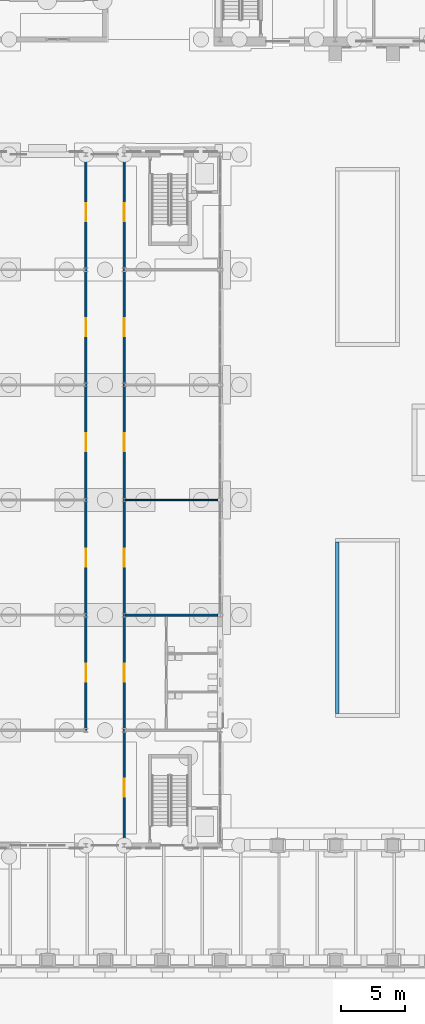
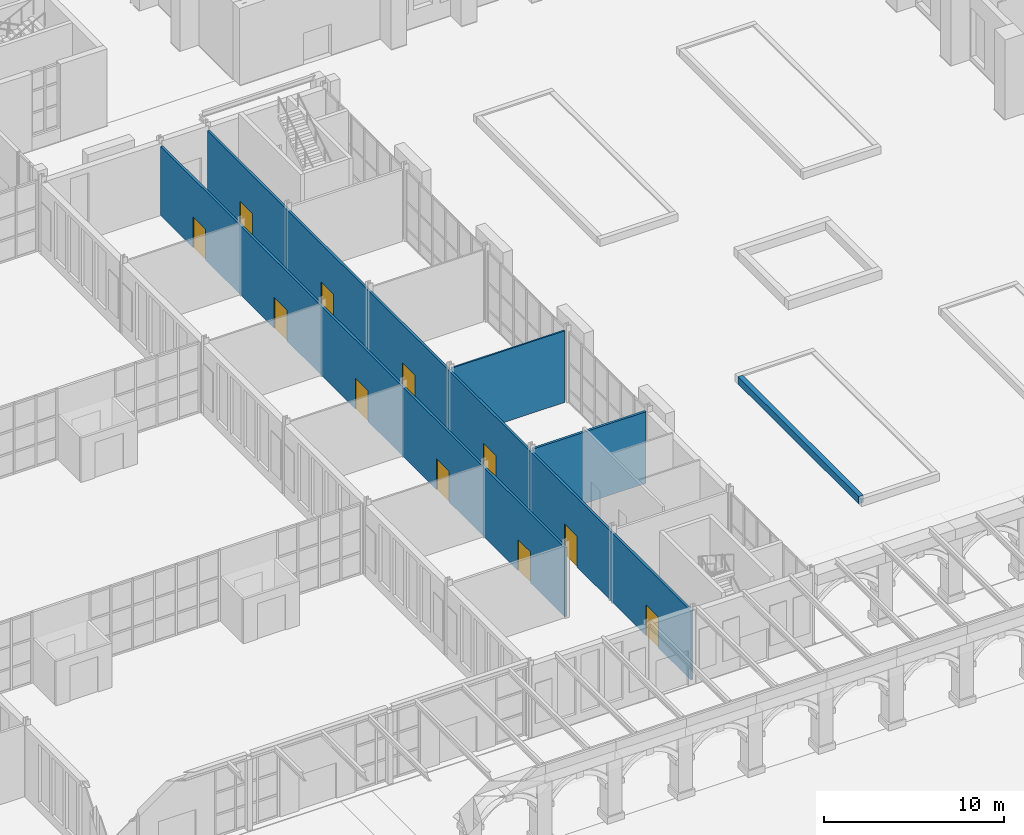
# One storey, part 90 of 168: 11 doors, 5 walls, 11 openings.
"""IFC4 building model written with IfcOpenShell, lengths in metres."""

import ifcopenshell
import ifcopenshell.guid

model = None  # the IFC model being written
_history = None  # IfcOwnerHistory: only IFC2X3 demands one
_inside = {}  # id of a spatial element -> (the spatial element, [elements in it])
_under = {}  # id of a project, library or spatial element -> (it, [spatial elements below it])
_declared = {}  # id of a project -> (the project, [libraries it declares])
_typed = {}  # id of a type object -> (the type object, [elements of that type])
_made_of = {}  # id of a material, layer set ... -> (it, [elements and type objects made of it])


def new_model(schema):
    """Start an empty IFC model of exactly this schema.

    Asked for "IFC4X3", IfcOpenShell would pick the latest addendum, in which some entities
    have other attributes; the version numbers below select the first issue.
    IFC2X3 requires an IfcOwnerHistory on every rooted entity: one is made here for all.
    """
    global model, _history
    if schema == "IFC4X3":
        model = ifcopenshell.file(schema_version=(4, 3, 0, 0))
    else:
        model = ifcopenshell.file(schema=schema)
    _inside.clear()
    _under.clear()
    _declared.clear()
    _typed.clear()
    _made_of.clear()
    _history = None
    if model.schema == "IFC2X3":
        org = make("IfcOrganization", Name="unknown")
        user = make(
            "IfcPersonAndOrganization",
            ThePerson=make("IfcPerson", FamilyName="unknown"),
            TheOrganization=org,
        )
        app = make(
            "IfcApplication",
            ApplicationDeveloper=org,
            Version="unknown",
            ApplicationFullName="unknown",
            ApplicationIdentifier="unknown",
        )
        _history = make(
            "IfcOwnerHistory",
            OwningUser=user,
            OwningApplication=app,
            ChangeAction="ADDED",
            CreationDate=0,
        )
    return model


def make(cls, **values):
    """One entity of the class cls with the attributes given. An attribute that is None is left unset."""
    return model.create_entity(
        cls, **{name: value for name, value in values.items() if value is not None}
    )


def rooted(cls, **values):
    """An entity with a GlobalId (a new one), such as an element, a storey or a relation."""
    return make(cls, GlobalId=ifcopenshell.guid.new(), OwnerHistory=_history, **values)


def si_unit(unit_type, name, prefix=None):
    """IfcSIUnit, for example si_unit("LENGTHUNIT", "METRE", prefix="MILLI")."""
    return make("IfcSIUnit", UnitType=unit_type, Prefix=prefix, Name=name)


def assignment(units):
    """IfcUnitAssignment: the units of a project."""
    return None if units is None else make("IfcUnitAssignment", Units=units)


def point(xyz):
    """IfcCartesianPoint."""
    return None if xyz is None else make("IfcCartesianPoint", Coordinates=xyz)


def direction(xyz):
    """IfcDirection."""
    return None if xyz is None else make("IfcDirection", DirectionRatios=xyz)


def frame(location, z_axis=None, x_axis=None):
    """IfcAxis2Placement3D, a coordinate frame: its origin and axes. An axis left out is left unset."""
    return make(
        "IfcAxis2Placement3D",
        Location=point(location),
        Axis=direction(z_axis),
        RefDirection=direction(x_axis),
    )


def frame_2d(location, x_axis=None):
    """IfcAxis2Placement2D, a coordinate frame in the plane: its origin and x axis."""
    return make(
        "IfcAxis2Placement2D", Location=point(location), RefDirection=direction(x_axis)
    )


def origin():
    """The frame at (0, 0, 0) with its axes left unset."""
    return frame((0.0, 0.0, 0.0))


def place(relative_to, where):
    """IfcLocalPlacement: puts the frame where relative to a parent placement (None: the world)."""
    return make(
        "IfcLocalPlacement", PlacementRelTo=relative_to, RelativePlacement=where
    )


def context(
    kind, dimensions, precision=None, world=None, true_north=None, identifier=None
):
    """IfcGeometricRepresentationContext, for example the 3D "Model" context."""
    return make(
        "IfcGeometricRepresentationContext",
        ContextIdentifier=identifier,
        ContextType=kind,
        CoordinateSpaceDimension=dimensions,
        Precision=precision,
        WorldCoordinateSystem=world,
        TrueNorth=true_north,
    )


def subcontext(parent, identifier, kind, view, scale=None):
    """IfcGeometricRepresentationSubContext, for example "Body" below "Model"."""
    return make(
        "IfcGeometricRepresentationSubContext",
        ContextIdentifier=identifier,
        ContextType=kind,
        ParentContext=parent,
        TargetScale=scale,
        TargetView=view,
    )


def project(units=None, contexts=None):
    """IfcProject with its units and contexts."""
    return rooted(
        "IfcProject",
        Name="project",
        RepresentationContexts=contexts,
        UnitsInContext=assignment(units),
    )


def spatial(cls, under=None, at=None, **own):
    """A site, building, storey or space (cls), placed at a placement, below another one or the project."""
    s = rooted(cls, ObjectPlacement=at, **own)
    if under is not None:
        _under.setdefault(under.id(), (under, []))[1].append(s)
    return s


def profile(cls, at=None, kind="AREA", **sizes):
    """A parametric profile (cls). Its sizes go by their IFC names, for example OverallWidth=200.0."""
    return make(cls, ProfileType=kind, Position=at, **sizes)


def rectangle(**sizes):
    """IfcRectangleProfileDef."""
    return profile("IfcRectangleProfileDef", **sizes)


def extrude(swept, where, along, depth):
    """IfcExtrudedAreaSolid: the profile swept, set in the frame where, extruded along a direction by depth."""
    return make(
        "IfcExtrudedAreaSolid",
        SweptArea=swept,
        Position=where,
        ExtrudedDirection=direction(along),
        Depth=depth,
    )


def shape(context_of_items, identifier, shape_type, items):
    """IfcShapeRepresentation: the items that make up one representation, for example the "Body"."""
    return make(
        "IfcShapeRepresentation",
        ContextOfItems=context_of_items,
        RepresentationIdentifier=identifier,
        RepresentationType=shape_type,
        Items=items,
    )


def material(Name=None, Category=None):
    """IfcMaterial."""
    return make("IfcMaterial", Name=Name, Category=Category)


def layer(
    of_material, thickness, ventilated=None, Name=None, Category=None, Priority=None
):
    """IfcMaterialLayer: one layer of a wall or slab, of a material (None: an air gap)."""
    return make(
        "IfcMaterialLayer",
        Material=of_material,
        LayerThickness=thickness,
        IsVentilated=ventilated,
        Name=Name,
        Category=Category,
        Priority=Priority,
    )


def layer_set(layers, Name=None):
    """IfcMaterialLayerSet."""
    return make("IfcMaterialLayerSet", MaterialLayers=layers, LayerSetName=Name)


def made_of(thing, what):
    """Note that an element or type object is made of a material, layer set ...; save() writes the relation."""
    if what is not None:
        _made_of.setdefault(what.id(), (what, []))[1].append(thing)
    return thing


def type_object(cls, material=None, **own):
    """A type object (cls), such as IfcWallType, which elements share."""
    return made_of(rooted(cls, **own), material)


def element(
    cls,
    number,
    at=None,
    inside=None,
    cuts=None,
    type_object=None,
    material=None,
    context=None,
    identifier="Body",
    shape_type=None,
    held_by="IfcProductDefinitionShape",
    body=None,
    shapes=None,
    **own,
):
    """One element of the class cls, such as IfcWall. Its Tag is "e" and its number.

    at: its placement. inside: the storey or other place that contains it. cuts: it is an
    opening in that element (IfcRelVoidsElement). A single representation is given by context,
    identifier, shape_type and body (its items); several are given by shapes. held_by: the class
    of the entity that holds the representations. save() writes the other relations.
    """
    e = rooted(cls, Tag="e%d" % number, ObjectPlacement=at, **own)
    if body is not None:
        shapes = [shape(context, identifier, shape_type, body)]
    if shapes is not None:
        e.Representation = make(held_by, Representations=shapes)
    if inside is not None:
        _inside.setdefault(inside.id(), (inside, []))[1].append(e)
    if cuts is not None:
        rooted(
            "IfcRelVoidsElement", RelatingBuildingElement=cuts, RelatedOpeningElement=e
        )
    if type_object is not None:
        _typed.setdefault(type_object.id(), (type_object, []))[1].append(e)
    return made_of(e, material)


def fill(opening, filler):
    """IfcRelFillsElement: the door or window that sits in an opening."""
    return rooted(
        "IfcRelFillsElement",
        RelatingOpeningElement=opening,
        RelatedBuildingElement=filler,
    )


def aggregate(whole, parts):
    """IfcRelAggregates: a whole, such as a stair, and the parts it consists of."""
    return rooted("IfcRelAggregates", RelatingObject=whole, RelatedObjects=parts)


def save(model, path):
    """Write the relations noted so far, then the file.

    IfcRelAggregates (storeys below a building ...), IfcRelContainedInSpatialStructure (elements
    in a storey), IfcRelDefinesByType, IfcRelAssociatesMaterial and IfcRelDeclares: one each for
    every whole, place, type object, material and project.
    """
    for whole, parts in _under.values():
        aggregate(whole, parts)
    for where, things in _inside.values():
        rooted(
            "IfcRelContainedInSpatialStructure",
            RelatedElements=things,
            RelatingStructure=where,
        )
    for kind, things in _typed.values():
        rooted("IfcRelDefinesByType", RelatedObjects=things, RelatingType=kind)
    for what, things in _made_of.values():
        rooted("IfcRelAssociatesMaterial", RelatedObjects=things, RelatingMaterial=what)
    for by, libraries in _declared.values():
        rooted("IfcRelDeclares", RelatingContext=by, RelatedDefinitions=libraries)
    model.write(path)


model = new_model("IFC4")

# Units and contexts
model_context = context("Model", 3, precision=1e-05, world=origin(), true_north=direction((0.0, 1.0)))
body_context = subcontext(model_context, "Body", "Model", "MODEL_VIEW")
ifc_project = project(units=[si_unit("LENGTHUNIT", "METRE"), si_unit("AREAUNIT", "SQUARE_METRE"), si_unit("VOLUMEUNIT", "CUBIC_METRE"), si_unit("PLANEANGLEUNIT", "RADIAN"), si_unit("MASSUNIT", "GRAM", prefix="KILO")], contexts=[model_context])

# Site, building, storey
site_placement = place(None, origin())
site = spatial("IfcSite", under=ifc_project, at=site_placement, CompositionType="ELEMENT")
building_placement = place(site_placement, origin())
building = spatial("IfcBuilding", under=site, at=building_placement, Name="Golden Quay Civic Hall", CompositionType="ELEMENT")
storey_placement = place(building_placement, origin())
storey = spatial("IfcBuildingStorey", under=building, at=storey_placement, Name="L00", CompositionType="ELEMENT", Elevation=0.0)

# Walls
ifc_material_1 = material(Name="Brick, dark clay facing", Category="masonry")
ifc_layer_1 = layer(ifc_material_1, 0.300048828125)
ifc_layer_set_1 = layer_set([ifc_layer_1], Name="Brick planter wall 300")
wall_type_1 = type_object("IfcWallType", Name="Brick planter wall 300", PredefinedType="STANDARD", material=ifc_layer_set_1)
wall_1_placement = place(storey_placement, frame((126.14990234375, 10.300048828125, 0.0), z_axis=(0.0, 0.0, 1.0), x_axis=(0.0, 1.0, 0.0)))
element("IfcWall", 1, at=wall_1_placement, inside=storey, type_object=wall_type_1, Name="Court planter East Court 1", PredefinedType="STANDARD", context=body_context, shape_type="SweptSolid", body=[
    extrude(rectangle(XDim=13.39990234375, YDim=0.300048828125, at=frame_2d((6.699951171875, 0.0))), origin(), (0.0, 0.0, 1.0), 0.5),
])
ifc_material_2 = material(Name="Plasterboard on steel studs", Category="steel")
ifc_layer_2 = layer(ifc_material_2, 0.10009765625)
ifc_layer_set_2 = layer_set([ifc_layer_2], Name="Partition 100 stud")
wall_type_2 = type_object("IfcWallType", Name="Partition 100 stud", PredefinedType="PARTITIONING", material=ifc_layer_set_2)
wall_2_placement = place(storey_placement, frame((109.574951171875, 27.0, 0.0), z_axis=(0.0, 0.0, 1.0), x_axis=(1.0, 0.0, 0.0)))
element("IfcWall", 2, at=wall_2_placement, inside=storey, type_object=wall_type_2, Name="Partition L00-001", PredefinedType="PARTITIONING", context=body_context, shape_type="SweptSolid", body=[
    extrude(rectangle(XDim=7.22509765625, YDim=0.10009765625, at=frame_2d((3.612548828125, 0.0))), origin(), (0.0, 0.0, 1.0), 4.85009765625),
])
ifc_material_3 = material(Name="Plasterboard on steel studs", Category="steel")
ifc_layer_3 = layer(ifc_material_3, 0.14990234375)
ifc_layer_set_3 = layer_set([ifc_layer_3], Name="Partition 150 stud fire EI 60")
wall_type_3 = type_object("IfcWallType", Name="Partition 150 stud fire EI 60", PredefinedType="PARTITIONING", material=ifc_layer_set_3)
wall_3_placement = place(storey_placement, frame((109.574951171875, 18.0, 0.0), z_axis=(0.0, 0.0, 1.0), x_axis=(1.0, 0.0, 0.0)))
element("IfcWall", 3, at=wall_3_placement, inside=storey, type_object=wall_type_3, Name="Partition L00-000", PredefinedType="PARTITIONING", context=body_context, shape_type="SweptSolid", body=[
    extrude(rectangle(XDim=7.22509765625, YDim=0.14990234375, at=frame_2d((3.612548828125, 0.0))), origin(), (0.0, 0.0, 1.0), 4.85009765625),
])

# Wall, openings, doors
wall_4_placement = place(storey_placement, frame((109.5, 0.199951171875, 0.0), z_axis=(0.0, 0.0, 1.0), x_axis=(0.0, 1.0, 0.0)))
wall_4 = element("IfcWall", 4, at=wall_4_placement, inside=storey, type_object=wall_type_3, Name="Partition L00-010", PredefinedType="PARTITIONING", context=body_context, shape_type="SweptSolid", body=[
    extrude(rectangle(XDim=53.60009765625, YDim=0.14990234375, at=frame_2d((26.800048828125, 0.0))), origin(), (0.0, 0.0, 1.0), 4.679931640625),
])
opening_1_placement = place(wall_4_placement, frame((21.60009765625, 0.0, 0.0)))
opening_1 = element("IfcOpeningElement", 5, at=opening_1_placement, cuts=wall_4, Name="Opening L00-D127", PredefinedType="OPENING", context=body_context, shape_type="SweptSolid", body=[
    extrude(rectangle(XDim=1.39990234375, YDim=2.10009765625, at=frame_2d((0.699951171875, 1.050048828125))), frame((0.0, 0.0849609375, 0.0), z_axis=(0.0, -1.0, 0.0), x_axis=(1.0, 0.0, 0.0)), (0.0, 0.0, 1.0), 0.169921875),
])
opening_2_placement = place(wall_4_placement, frame((30.60009765625, 0.0, 0.0)))
opening_2 = element("IfcOpeningElement", 6, at=opening_2_placement, cuts=wall_4, Name="Opening L00-D128", PredefinedType="OPENING", context=body_context, shape_type="SweptSolid", body=[
    extrude(rectangle(XDim=1.39990234375, YDim=2.10009765625, at=frame_2d((0.699951171875, 1.050048828125))), frame((0.0, 0.0849609375, 0.0), z_axis=(0.0, -1.0, 0.0), x_axis=(1.0, 0.0, 0.0)), (0.0, 0.0, 1.0), 0.169921875),
])
opening_3_placement = place(wall_4_placement, frame((39.60009765625, 0.0, 0.0)))
opening_3 = element("IfcOpeningElement", 7, at=opening_3_placement, cuts=wall_4, Name="Opening L00-D129", PredefinedType="OPENING", context=body_context, shape_type="SweptSolid", body=[
    extrude(rectangle(XDim=1.39990234375, YDim=2.10009765625, at=frame_2d((0.699951171875, 1.050048828125))), frame((0.0, 0.0849609375, 0.0), z_axis=(0.0, -1.0, 0.0), x_axis=(1.0, 0.0, 0.0)), (0.0, 0.0, 1.0), 0.169921875),
])
opening_4_placement = place(wall_4_placement, frame((12.60009765625, 0.0, 0.0)))
opening_4 = element("IfcOpeningElement", 8, at=opening_4_placement, cuts=wall_4, Name="Opening L00-D135", PredefinedType="OPENING", context=body_context, shape_type="SweptSolid", body=[
    extrude(rectangle(XDim=1.39990234375, YDim=2.10009765625, at=frame_2d((0.699951171875, 1.050048828125))), frame((0.0, 0.0849609375, 0.0), z_axis=(0.0, -1.0, 0.0), x_axis=(1.0, 0.0, 0.0)), (0.0, 0.0, 1.0), 0.169921875),
])
opening_5_placement = place(wall_4_placement, frame((3.60009765625, 0.0, 0.0)))
opening_5 = element("IfcOpeningElement", 9, at=opening_5_placement, cuts=wall_4, Name="Opening L00-D140", PredefinedType="OPENING", context=body_context, shape_type="SweptSolid", body=[
    extrude(rectangle(XDim=1.39990234375, YDim=2.10009765625, at=frame_2d((0.699951171875, 1.050048828125))), frame((0.0, 0.0849609375, 0.0), z_axis=(0.0, -1.0, 0.0), x_axis=(1.0, 0.0, 0.0)), (0.0, 0.0, 1.0), 0.169921875),
])
opening_6_placement = place(wall_4_placement, frame((48.60009765625, 0.0, 0.0)))
opening_6 = element("IfcOpeningElement", 10, at=opening_6_placement, cuts=wall_4, Name="Opening L00-D142", PredefinedType="OPENING", context=body_context, shape_type="SweptSolid", body=[
    extrude(rectangle(XDim=1.39990234375, YDim=2.10009765625, at=frame_2d((0.699951171875, 1.050048828125))), frame((0.0, 0.0849609375, 0.0), z_axis=(0.0, -1.0, 0.0), x_axis=(1.0, 0.0, 0.0)), (0.0, 0.0, 1.0), 0.169921875),
])
ifc_material_4 = material(Name="Steel", Category="steel")
door_type = type_object("IfcDoorType", Name="Steel double fire door FD30S 1400 x 2100", OperationType="DOUBLE_DOOR_SINGLE_SWING", PredefinedType="DOOR", material=ifc_material_4)
door_1_placement = place(opening_1_placement, frame((1.39990234375, 0.0, 0.0), z_axis=(0.0, 0.0, 1.0), x_axis=(-1.0, 0.0, 0.0)))
door_1 = element("IfcDoor", 11, at=door_1_placement, inside=storey, type_object=door_type, Name="Door L00-D127", OperationType="DOUBLE_DOOR_SINGLE_SWING", OverallHeight=2.10009765625, OverallWidth=1.39990234375, PredefinedType="DOOR", context=body_context, shape_type="SweptSolid", body=[
    extrude(rectangle(XDim=1.39990234375, YDim=2.10009765625, at=frame_2d((0.699951171875, 1.050048828125))), frame((0.0, 0.025146484375, 0.0), z_axis=(0.0, -1.0, 0.0), x_axis=(1.0, 0.0, 0.0)), (0.0, 0.0, 1.0), 0.050048828125),
])
fill(opening_1, door_1)
door_2_placement = place(opening_2_placement, frame((1.39990234375, 0.0, 0.0), z_axis=(0.0, 0.0, 1.0), x_axis=(-1.0, 0.0, 0.0)))
door_2 = element("IfcDoor", 12, at=door_2_placement, inside=storey, type_object=door_type, Name="Door L00-D128", OperationType="DOUBLE_DOOR_SINGLE_SWING", OverallHeight=2.10009765625, OverallWidth=1.39990234375, PredefinedType="DOOR", context=body_context, shape_type="SweptSolid", body=[
    extrude(rectangle(XDim=1.39990234375, YDim=2.10009765625, at=frame_2d((0.699951171875, 1.050048828125))), frame((0.0, 0.025146484375, 0.0), z_axis=(0.0, -1.0, 0.0), x_axis=(1.0, 0.0, 0.0)), (0.0, 0.0, 1.0), 0.050048828125),
])
fill(opening_2, door_2)
door_3_placement = place(opening_3_placement, frame((1.39990234375, 0.0, 0.0), z_axis=(0.0, 0.0, 1.0), x_axis=(-1.0, 0.0, 0.0)))
door_3 = element("IfcDoor", 13, at=door_3_placement, inside=storey, type_object=door_type, Name="Door L00-D129", OperationType="DOUBLE_DOOR_SINGLE_SWING", OverallHeight=2.10009765625, OverallWidth=1.39990234375, PredefinedType="DOOR", context=body_context, shape_type="SweptSolid", body=[
    extrude(rectangle(XDim=1.39990234375, YDim=2.10009765625, at=frame_2d((0.699951171875, 1.050048828125))), frame((0.0, 0.025146484375, 0.0), z_axis=(0.0, -1.0, 0.0), x_axis=(1.0, 0.0, 0.0)), (0.0, 0.0, 1.0), 0.050048828125),
])
fill(opening_3, door_3)
door_4_placement = place(opening_4_placement, frame((1.39990234375, 0.0, 0.0), z_axis=(0.0, 0.0, 1.0), x_axis=(-1.0, 0.0, 0.0)))
door_4 = element("IfcDoor", 14, at=door_4_placement, inside=storey, type_object=door_type, Name="Door L00-D135", OperationType="DOUBLE_DOOR_SINGLE_SWING", OverallHeight=2.10009765625, OverallWidth=1.39990234375, PredefinedType="DOOR", context=body_context, shape_type="SweptSolid", body=[
    extrude(rectangle(XDim=1.39990234375, YDim=2.10009765625, at=frame_2d((0.699951171875, 1.050048828125))), frame((0.0, 0.025146484375, 0.0), z_axis=(0.0, -1.0, 0.0), x_axis=(1.0, 0.0, 0.0)), (0.0, 0.0, 1.0), 0.050048828125),
])
fill(opening_4, door_4)
door_5_placement = place(opening_5_placement, origin())
door_5 = element("IfcDoor", 15, at=door_5_placement, inside=storey, type_object=door_type, Name="Door L00-D140", OperationType="DOUBLE_DOOR_SINGLE_SWING", OverallHeight=2.10009765625, OverallWidth=1.39990234375, PredefinedType="DOOR", context=body_context, shape_type="SweptSolid", body=[
    extrude(rectangle(XDim=1.39990234375, YDim=2.10009765625, at=frame_2d((0.699951171875, 1.050048828125))), frame((0.0, 0.02490234375, 0.0), z_axis=(0.0, -1.0, 0.0), x_axis=(1.0, 0.0, 0.0)), (0.0, 0.0, 1.0), 0.050048828125),
])
fill(opening_5, door_5)
door_6_placement = place(opening_6_placement, origin())
door_6 = element("IfcDoor", 16, at=door_6_placement, inside=storey, type_object=door_type, Name="Door L00-D142", OperationType="DOUBLE_DOOR_SINGLE_SWING", OverallHeight=2.10009765625, OverallWidth=1.39990234375, PredefinedType="DOOR", context=body_context, shape_type="SweptSolid", body=[
    extrude(rectangle(XDim=1.39990234375, YDim=2.10009765625, at=frame_2d((0.699951171875, 1.050048828125))), frame((0.0, 0.02490234375, 0.0), z_axis=(0.0, -1.0, 0.0), x_axis=(1.0, 0.0, 0.0)), (0.0, 0.0, 1.0), 0.050048828125),
])
fill(opening_6, door_6)

wall_5_placement = place(storey_placement, frame((106.5, 9.0, 0.0), z_axis=(0.0, 0.0, 1.0), x_axis=(0.0, 1.0, 0.0)))
wall_5 = element("IfcWall", 17, at=wall_5_placement, inside=storey, type_object=wall_type_3, Name="Partition L00-011", PredefinedType="PARTITIONING", context=body_context, shape_type="SweptSolid", body=[
    extrude(rectangle(XDim=44.800048828125, YDim=0.14990234375, at=frame_2d((22.39990234375, 0.0))), origin(), (0.0, 0.0, 1.0), 4.679931640625),
])
opening_7_placement = place(wall_5_placement, frame((3.800048828125, 0.0, 0.0)))
opening_7 = element("IfcOpeningElement", 18, at=opening_7_placement, cuts=wall_5, Name="Opening L00-D130", PredefinedType="OPENING", context=body_context, shape_type="SweptSolid", body=[
    extrude(rectangle(XDim=1.39990234375, YDim=2.10009765625, at=frame_2d((0.699951171875, 1.050048828125))), frame((0.0, 0.0849609375, 0.0), z_axis=(0.0, -1.0, 0.0), x_axis=(1.0, 0.0, 0.0)), (0.0, 0.0, 1.0), 0.169921875),
])
opening_8_placement = place(wall_5_placement, frame((12.800048828125, 0.0, 0.0)))
opening_8 = element("IfcOpeningElement", 19, at=opening_8_placement, cuts=wall_5, Name="Opening L00-D131", PredefinedType="OPENING", context=body_context, shape_type="SweptSolid", body=[
    extrude(rectangle(XDim=1.39990234375, YDim=2.10009765625, at=frame_2d((0.699951171875, 1.050048828125))), frame((0.0, 0.0849609375, 0.0), z_axis=(0.0, -1.0, 0.0), x_axis=(1.0, 0.0, 0.0)), (0.0, 0.0, 1.0), 0.169921875),
])
opening_9_placement = place(wall_5_placement, frame((21.800048828125, 0.0, 0.0)))
opening_9 = element("IfcOpeningElement", 20, at=opening_9_placement, cuts=wall_5, Name="Opening L00-D132", PredefinedType="OPENING", context=body_context, shape_type="SweptSolid", body=[
    extrude(rectangle(XDim=1.39990234375, YDim=2.10009765625, at=frame_2d((0.699951171875, 1.050048828125))), frame((0.0, 0.0849609375, 0.0), z_axis=(0.0, -1.0, 0.0), x_axis=(1.0, 0.0, 0.0)), (0.0, 0.0, 1.0), 0.169921875),
])
opening_10_placement = place(wall_5_placement, frame((30.800048828125, 0.0, 0.0)))
opening_10 = element("IfcOpeningElement", 21, at=opening_10_placement, cuts=wall_5, Name="Opening L00-D133", PredefinedType="OPENING", context=body_context, shape_type="SweptSolid", body=[
    extrude(rectangle(XDim=1.39990234375, YDim=2.10009765625, at=frame_2d((0.699951171875, 1.050048828125))), frame((0.0, 0.0849609375, 0.0), z_axis=(0.0, -1.0, 0.0), x_axis=(1.0, 0.0, 0.0)), (0.0, 0.0, 1.0), 0.169921875),
])
opening_11_placement = place(wall_5_placement, frame((39.800048828125, 0.0, 0.0)))
opening_11 = element("IfcOpeningElement", 22, at=opening_11_placement, cuts=wall_5, Name="Opening L00-D134", PredefinedType="OPENING", context=body_context, shape_type="SweptSolid", body=[
    extrude(rectangle(XDim=1.39990234375, YDim=2.10009765625, at=frame_2d((0.699951171875, 1.050048828125))), frame((0.0, 0.0849609375, 0.0), z_axis=(0.0, -1.0, 0.0), x_axis=(1.0, 0.0, 0.0)), (0.0, 0.0, 1.0), 0.169921875),
])
door_7_placement = place(opening_7_placement, origin())
door_7 = element("IfcDoor", 23, at=door_7_placement, inside=storey, type_object=door_type, Name="Door L00-D130", OperationType="DOUBLE_DOOR_SINGLE_SWING", OverallHeight=2.10009765625, OverallWidth=1.39990234375, PredefinedType="DOOR", context=body_context, shape_type="SweptSolid", body=[
    extrude(rectangle(XDim=1.39990234375, YDim=2.10009765625, at=frame_2d((0.699951171875, 1.050048828125))), frame((0.0, 0.02490234375, 0.0), z_axis=(0.0, -1.0, 0.0), x_axis=(1.0, 0.0, 0.0)), (0.0, 0.0, 1.0), 0.050048828125),
])
fill(opening_7, door_7)
door_8_placement = place(opening_8_placement, origin())
door_8 = element("IfcDoor", 24, at=door_8_placement, inside=storey, type_object=door_type, Name="Door L00-D131", OperationType="DOUBLE_DOOR_SINGLE_SWING", OverallHeight=2.10009765625, OverallWidth=1.39990234375, PredefinedType="DOOR", context=body_context, shape_type="SweptSolid", body=[
    extrude(rectangle(XDim=1.39990234375, YDim=2.10009765625, at=frame_2d((0.699951171875, 1.050048828125))), frame((0.0, 0.02490234375, 0.0), z_axis=(0.0, -1.0, 0.0), x_axis=(1.0, 0.0, 0.0)), (0.0, 0.0, 1.0), 0.050048828125),
])
fill(opening_8, door_8)
door_9_placement = place(opening_9_placement, origin())
door_9 = element("IfcDoor", 25, at=door_9_placement, inside=storey, type_object=door_type, Name="Door L00-D132", OperationType="DOUBLE_DOOR_SINGLE_SWING", OverallHeight=2.10009765625, OverallWidth=1.39990234375, PredefinedType="DOOR", context=body_context, shape_type="SweptSolid", body=[
    extrude(rectangle(XDim=1.39990234375, YDim=2.10009765625, at=frame_2d((0.699951171875, 1.050048828125))), frame((0.0, 0.02490234375, 0.0), z_axis=(0.0, -1.0, 0.0), x_axis=(1.0, 0.0, 0.0)), (0.0, 0.0, 1.0), 0.050048828125),
])
fill(opening_9, door_9)
door_10_placement = place(opening_10_placement, origin())
door_10 = element("IfcDoor", 26, at=door_10_placement, inside=storey, type_object=door_type, Name="Door L00-D133", OperationType="DOUBLE_DOOR_SINGLE_SWING", OverallHeight=2.10009765625, OverallWidth=1.39990234375, PredefinedType="DOOR", context=body_context, shape_type="SweptSolid", body=[
    extrude(rectangle(XDim=1.39990234375, YDim=2.10009765625, at=frame_2d((0.699951171875, 1.050048828125))), frame((0.0, 0.02490234375, 0.0), z_axis=(0.0, -1.0, 0.0), x_axis=(1.0, 0.0, 0.0)), (0.0, 0.0, 1.0), 0.050048828125),
])
fill(opening_10, door_10)
door_11_placement = place(opening_11_placement, origin())
door_11 = element("IfcDoor", 27, at=door_11_placement, inside=storey, type_object=door_type, Name="Door L00-D134", OperationType="DOUBLE_DOOR_SINGLE_SWING", OverallHeight=2.10009765625, OverallWidth=1.39990234375, PredefinedType="DOOR", context=body_context, shape_type="SweptSolid", body=[
    extrude(rectangle(XDim=1.39990234375, YDim=2.10009765625, at=frame_2d((0.699951171875, 1.050048828125))), frame((0.0, 0.02490234375, 0.0), z_axis=(0.0, -1.0, 0.0), x_axis=(1.0, 0.0, 0.0)), (0.0, 0.0, 1.0), 0.050048828125),
])
fill(opening_11, door_11)

save(model, "model.ifc")
